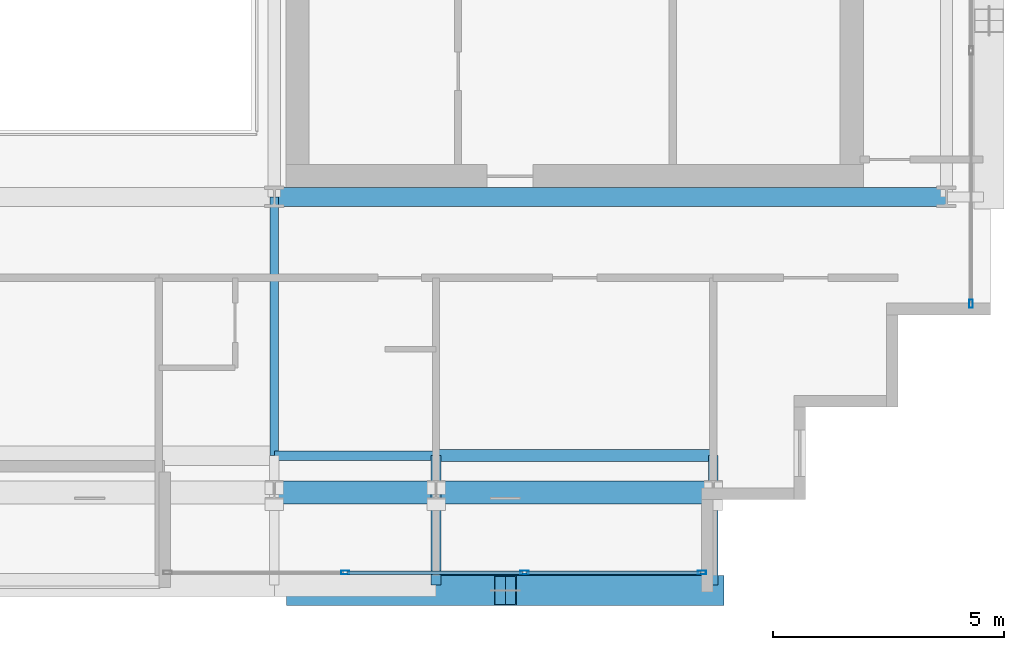
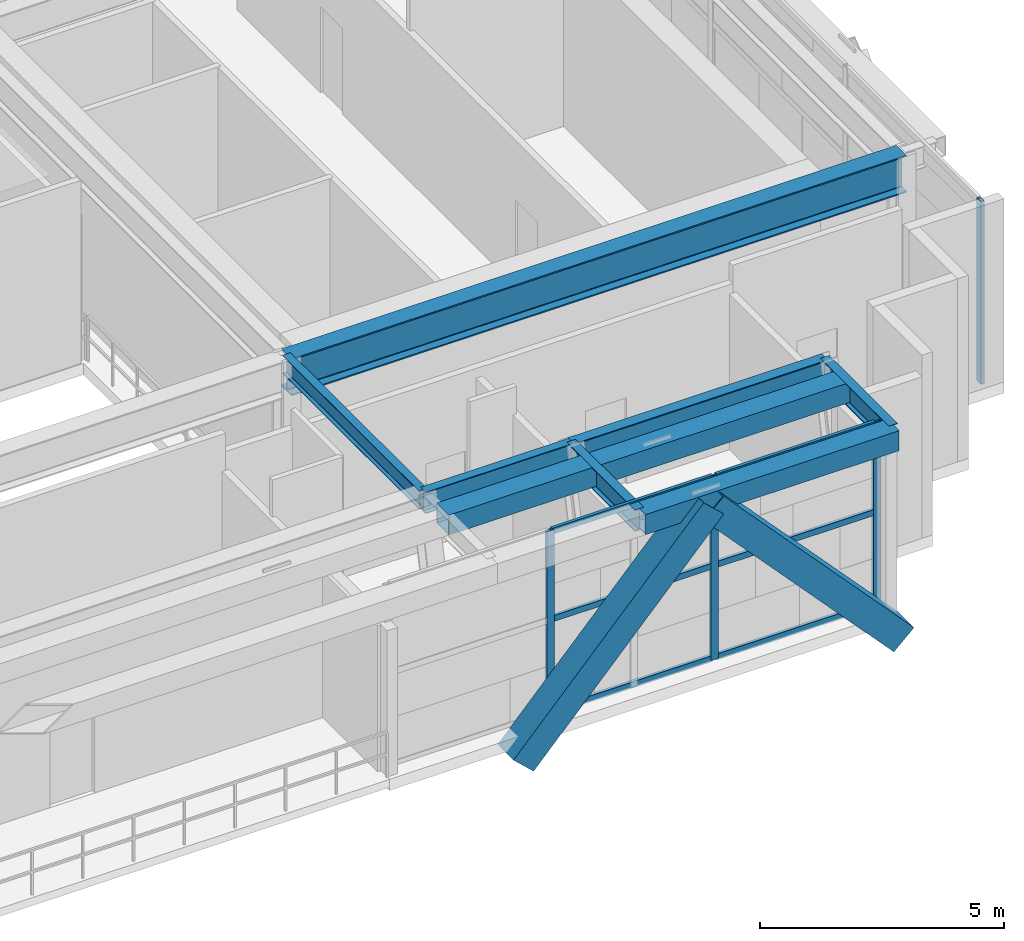
# One storey, part 9 of 31: 12 members, 9 beams, 2 elements without a shape of their own.
"""IFC4 building model written with IfcOpenShell, lengths in metres."""

import ifcopenshell
import ifcopenshell.guid

model = None  # the IFC model being written
_history = None  # IfcOwnerHistory: only IFC2X3 demands one
_inside = {}  # id of a spatial element -> (the spatial element, [elements in it])
_under = {}  # id of a project, library or spatial element -> (it, [spatial elements below it])
_declared = {}  # id of a project -> (the project, [libraries it declares])
_typed = {}  # id of a type object -> (the type object, [elements of that type])
_made_of = {}  # id of a material, layer set ... -> (it, [elements and type objects made of it])


def new_model(schema):
    """Start an empty IFC model of exactly this schema.

    Asked for "IFC4X3", IfcOpenShell would pick the latest addendum, in which some entities
    have other attributes; the version numbers below select the first issue.
    IFC2X3 requires an IfcOwnerHistory on every rooted entity: one is made here for all.
    """
    global model, _history
    if schema == "IFC4X3":
        model = ifcopenshell.file(schema_version=(4, 3, 0, 0))
    else:
        model = ifcopenshell.file(schema=schema)
    _inside.clear()
    _under.clear()
    _declared.clear()
    _typed.clear()
    _made_of.clear()
    _history = None
    if model.schema == "IFC2X3":
        org = make("IfcOrganization", Name="unknown")
        user = make(
            "IfcPersonAndOrganization",
            ThePerson=make("IfcPerson", FamilyName="unknown"),
            TheOrganization=org,
        )
        app = make(
            "IfcApplication",
            ApplicationDeveloper=org,
            Version="unknown",
            ApplicationFullName="unknown",
            ApplicationIdentifier="unknown",
        )
        _history = make(
            "IfcOwnerHistory",
            OwningUser=user,
            OwningApplication=app,
            ChangeAction="ADDED",
            CreationDate=0,
        )
    return model


def make(cls, **values):
    """One entity of the class cls with the attributes given. An attribute that is None is left unset."""
    return model.create_entity(
        cls, **{name: value for name, value in values.items() if value is not None}
    )


def rooted(cls, **values):
    """An entity with a GlobalId (a new one), such as an element, a storey or a relation."""
    return make(cls, GlobalId=ifcopenshell.guid.new(), OwnerHistory=_history, **values)


def si_unit(unit_type, name, prefix=None):
    """IfcSIUnit, for example si_unit("LENGTHUNIT", "METRE", prefix="MILLI")."""
    return make("IfcSIUnit", UnitType=unit_type, Prefix=prefix, Name=name)


def assignment(units):
    """IfcUnitAssignment: the units of a project."""
    return None if units is None else make("IfcUnitAssignment", Units=units)


def point(xyz):
    """IfcCartesianPoint."""
    return None if xyz is None else make("IfcCartesianPoint", Coordinates=xyz)


def direction(xyz):
    """IfcDirection."""
    return None if xyz is None else make("IfcDirection", DirectionRatios=xyz)


def frame(location, z_axis=None, x_axis=None):
    """IfcAxis2Placement3D, a coordinate frame: its origin and axes. An axis left out is left unset."""
    return make(
        "IfcAxis2Placement3D",
        Location=point(location),
        Axis=direction(z_axis),
        RefDirection=direction(x_axis),
    )


def frame_2d(location, x_axis=None):
    """IfcAxis2Placement2D, a coordinate frame in the plane: its origin and x axis."""
    return make(
        "IfcAxis2Placement2D", Location=point(location), RefDirection=direction(x_axis)
    )


def origin():
    """The frame at (0, 0, 0) with its axes left unset."""
    return frame((0.0, 0.0, 0.0))


def origin_2d():
    """The frame at (0, 0) in the plane with its x axis left unset."""
    return frame_2d((0.0, 0.0))


def place(relative_to, where):
    """IfcLocalPlacement: puts the frame where relative to a parent placement (None: the world)."""
    return make(
        "IfcLocalPlacement", PlacementRelTo=relative_to, RelativePlacement=where
    )


def context(
    kind, dimensions, precision=None, world=None, true_north=None, identifier=None
):
    """IfcGeometricRepresentationContext, for example the 3D "Model" context."""
    return make(
        "IfcGeometricRepresentationContext",
        ContextIdentifier=identifier,
        ContextType=kind,
        CoordinateSpaceDimension=dimensions,
        Precision=precision,
        WorldCoordinateSystem=world,
        TrueNorth=true_north,
    )


def subcontext(parent, identifier, kind, view, scale=None):
    """IfcGeometricRepresentationSubContext, for example "Body" below "Model"."""
    return make(
        "IfcGeometricRepresentationSubContext",
        ContextIdentifier=identifier,
        ContextType=kind,
        ParentContext=parent,
        TargetScale=scale,
        TargetView=view,
    )


def project(units=None, contexts=None):
    """IfcProject with its units and contexts."""
    return rooted(
        "IfcProject",
        Name="project",
        RepresentationContexts=contexts,
        UnitsInContext=assignment(units),
    )


def spatial(cls, under=None, at=None, **own):
    """A site, building, storey or space (cls), placed at a placement, below another one or the project."""
    s = rooted(cls, ObjectPlacement=at, **own)
    if under is not None:
        _under.setdefault(under.id(), (under, []))[1].append(s)
    return s


def profile(cls, at=None, kind="AREA", **sizes):
    """A parametric profile (cls). Its sizes go by their IFC names, for example OverallWidth=200.0."""
    return make(cls, ProfileType=kind, Position=at, **sizes)


def hollow_rectangle(**sizes):
    """IfcRectangleHollowProfileDef."""
    return profile("IfcRectangleHollowProfileDef", **sizes)


def i_section(**sizes):
    """IfcIShapeProfileDef."""
    return profile("IfcIShapeProfileDef", **sizes)


def extrude(swept, where, along, depth):
    """IfcExtrudedAreaSolid: the profile swept, set in the frame where, extruded along a direction by depth."""
    return make(
        "IfcExtrudedAreaSolid",
        SweptArea=swept,
        Position=where,
        ExtrudedDirection=direction(along),
        Depth=depth,
    )


def shape(context_of_items, identifier, shape_type, items):
    """IfcShapeRepresentation: the items that make up one representation, for example the "Body"."""
    return make(
        "IfcShapeRepresentation",
        ContextOfItems=context_of_items,
        RepresentationIdentifier=identifier,
        RepresentationType=shape_type,
        Items=items,
    )


def source(mapping_origin, context_of_items, identifier, shape_type, items):
    """IfcRepresentationMap: a shape defined once, which mapped items show again and again."""
    return make(
        "IfcRepresentationMap",
        MappingOrigin=mapping_origin,
        MappedRepresentation=shape(context_of_items, identifier, shape_type, items),
    )


def transform(
    local_origin,
    x_axis=None,
    y_axis=None,
    z_axis=None,
    scale=None,
    scale2=None,
    scale3=None,
    uniform=True,
):
    """IfcCartesianTransformationOperator3D, or its non-uniform kind. x_axis, y_axis, z_axis: its Axis1, 2, 3."""
    if uniform:
        return make(
            "IfcCartesianTransformationOperator3D",
            Axis1=direction(x_axis),
            Axis2=direction(y_axis),
            LocalOrigin=point(local_origin),
            Scale=scale,
            Axis3=direction(z_axis),
        )
    return make(
        "IfcCartesianTransformationOperator3DnonUniform",
        Axis1=direction(x_axis),
        Axis2=direction(y_axis),
        LocalOrigin=point(local_origin),
        Scale=scale,
        Axis3=direction(z_axis),
        Scale2=scale2,
        Scale3=scale3,
    )


def mapped(mapping_source, mapping_target):
    """IfcMappedItem: shows the shape of a source again, moved by a transform."""
    return make(
        "IfcMappedItem", MappingSource=mapping_source, MappingTarget=mapping_target
    )


def material(Name=None, Category=None):
    """IfcMaterial."""
    return make("IfcMaterial", Name=Name, Category=Category)


def layer(
    of_material, thickness, ventilated=None, Name=None, Category=None, Priority=None
):
    """IfcMaterialLayer: one layer of a wall or slab, of a material (None: an air gap)."""
    return make(
        "IfcMaterialLayer",
        Material=of_material,
        LayerThickness=thickness,
        IsVentilated=ventilated,
        Name=Name,
        Category=Category,
        Priority=Priority,
    )


def layer_set(layers, Name=None):
    """IfcMaterialLayerSet."""
    return make("IfcMaterialLayerSet", MaterialLayers=layers, LayerSetName=Name)


def material_profile(
    of_material, cross_section, Name=None, Category=None, Priority=None
):
    """IfcMaterialProfile: a cross section and its material."""
    return make(
        "IfcMaterialProfile",
        Name=Name,
        Material=of_material,
        Profile=cross_section,
        Priority=Priority,
        Category=Category,
    )


def profile_set(profiles, Name=None, composite=None):
    """IfcMaterialProfileSet."""
    return make(
        "IfcMaterialProfileSet",
        Name=Name,
        MaterialProfiles=profiles,
        CompositeProfile=composite,
    )


def made_of(thing, what):
    """Note that an element or type object is made of a material, layer set ...; save() writes the relation."""
    if what is not None:
        _made_of.setdefault(what.id(), (what, []))[1].append(thing)
    return thing


def type_object(cls, material=None, **own):
    """A type object (cls), such as IfcWallType, which elements share."""
    return made_of(rooted(cls, **own), material)


def element(
    cls,
    number,
    at=None,
    inside=None,
    cuts=None,
    type_object=None,
    material=None,
    context=None,
    identifier="Body",
    shape_type=None,
    held_by="IfcProductDefinitionShape",
    body=None,
    shapes=None,
    **own,
):
    """One element of the class cls, such as IfcWall. Its Tag is "e" and its number.

    at: its placement. inside: the storey or other place that contains it. cuts: it is an
    opening in that element (IfcRelVoidsElement). A single representation is given by context,
    identifier, shape_type and body (its items); several are given by shapes. held_by: the class
    of the entity that holds the representations. save() writes the other relations.
    """
    e = rooted(cls, Tag="e%d" % number, ObjectPlacement=at, **own)
    if body is not None:
        shapes = [shape(context, identifier, shape_type, body)]
    if shapes is not None:
        e.Representation = make(held_by, Representations=shapes)
    if inside is not None:
        _inside.setdefault(inside.id(), (inside, []))[1].append(e)
    if cuts is not None:
        rooted(
            "IfcRelVoidsElement", RelatingBuildingElement=cuts, RelatedOpeningElement=e
        )
    if type_object is not None:
        _typed.setdefault(type_object.id(), (type_object, []))[1].append(e)
    return made_of(e, material)


def aggregate(whole, parts):
    """IfcRelAggregates: a whole, such as a stair, and the parts it consists of."""
    return rooted("IfcRelAggregates", RelatingObject=whole, RelatedObjects=parts)


def save(model, path):
    """Write the relations noted so far, then the file.

    IfcRelAggregates (storeys below a building ...), IfcRelContainedInSpatialStructure (elements
    in a storey), IfcRelDefinesByType, IfcRelAssociatesMaterial and IfcRelDeclares: one each for
    every whole, place, type object, material and project.
    """
    for whole, parts in _under.values():
        aggregate(whole, parts)
    for where, things in _inside.values():
        rooted(
            "IfcRelContainedInSpatialStructure",
            RelatedElements=things,
            RelatingStructure=where,
        )
    for kind, things in _typed.values():
        rooted("IfcRelDefinesByType", RelatedObjects=things, RelatingType=kind)
    for what, things in _made_of.values():
        rooted("IfcRelAssociatesMaterial", RelatedObjects=things, RelatingMaterial=what)
    for by, libraries in _declared.values():
        rooted("IfcRelDeclares", RelatingContext=by, RelatedDefinitions=libraries)
    model.write(path)


model = new_model("IFC4")

# Units and contexts
model_context = context("Model", 3, precision=1e-05, world=origin(), true_north=direction((0.0, 1.0)))
body_context = subcontext(model_context, "Body", "Model", "MODEL_VIEW")
ifc_project = project(units=[si_unit("LENGTHUNIT", "METRE"), si_unit("AREAUNIT", "SQUARE_METRE"), si_unit("VOLUMEUNIT", "CUBIC_METRE"), si_unit("PLANEANGLEUNIT", "RADIAN"), si_unit("MASSUNIT", "GRAM", prefix="KILO")], contexts=[model_context])

# Site, building, storey
site_placement = place(None, origin())
site = spatial("IfcSite", under=ifc_project, at=site_placement, CompositionType="ELEMENT")
building_placement = place(site_placement, origin())
building = spatial("IfcBuilding", under=site, at=building_placement, Name="Ocotamira Hotel", CompositionType="ELEMENT")
storey_placement = place(building_placement, frame((0.0, 0.0, 228.0)))
storey = spatial("IfcBuildingStorey", under=building, at=storey_placement, Name="L57", CompositionType="ELEMENT", Elevation=228.0)

# Beams
ifc_material_1 = material(Name="Steel ASTM A992 Grade 50", Category="steel")
ifc_material_profile_1 = material_profile(ifc_material_1, i_section(OverallWidth=0.41796875, OverallDepth=0.927001953125, WebThickness=0.019287109375, FlangeThickness=0.031982421875, FilletRadius=0.02392578125, at=origin_2d()), Name="W36X231")
ifc_profile_set_1 = profile_set([ifc_material_profile_1], Name="Steel ASTM A992 Grade 50")
beam_type_1 = type_object("IfcBeamType", Name="BM-GIRD-W36X231", PredefinedType="BEAM", material=ifc_profile_set_1)
shared_shape_1 = source(origin(), body_context, "Body", "SweptSolid", [
    extrude(i_section(OverallWidth=0.41796875, OverallDepth=0.927001953125, WebThickness=0.019287109375, FlangeThickness=0.031982421875, FilletRadius=0.02392578125, at=origin_2d()), origin(), (0.0, 0.0, 1.0), 14.550048828125),
])
beam_1_placement = place(storey_placement, frame((40.5, 14.550048828125, 4.116455078125), z_axis=(1.0, 0.0, 0.0), x_axis=(0.0, 1.0, 0.0)))
element("IfcBeam", 1, at=beam_1_placement, inside=storey, type_object=beam_type_1, Name="L57 Girder Y14.55 X40.5-55.05", PredefinedType="BEAM", context=body_context, shape_type="MappedRepresentation", body=[
    mapped(shared_shape_1, transform((0.0, 0.0, 0.0), scale=1.0)),
])
ifc_material_profile_2 = material_profile(ifc_material_1, i_section(OverallWidth=0.256103515625, OverallDepth=0.693115234375, WebThickness=0.014404296875, FlangeThickness=0.023681640625, FilletRadius=0.01611328125, at=origin_2d()), Name="W27X114")
ifc_profile_set_2 = profile_set([ifc_material_profile_2], Name="Steel ASTM A992 Grade 50")
beam_type_2 = type_object("IfcBeamType", Name="BM-PRIM-W27X114", PredefinedType="BEAM", material=ifc_profile_set_2)
shared_shape_2 = source(origin(), body_context, "Body", "SweptSolid", [
    extrude(i_section(OverallWidth=0.256103515625, OverallDepth=0.693115234375, WebThickness=0.014404296875, FlangeThickness=0.023681640625, FilletRadius=0.01611328125, at=origin_2d()), origin(), (0.0, 0.0, 1.0), 6.0),
])
beam_2_placement = place(storey_placement, frame((44.0, 8.949951171875, 4.2333984375), z_axis=(1.0, 0.0, 0.0), x_axis=(0.0, 1.0, 0.0)))
element("IfcBeam", 2, at=beam_2_placement, inside=storey, type_object=beam_type_2, Name="L57 Girder Y8.95 X44-50", PredefinedType="BEAM", context=body_context, shape_type="MappedRepresentation", body=[
    mapped(shared_shape_2, transform((0.0, 0.0, 0.0), scale=1.0)),
])
ifc_material_profile_3 = material_profile(ifc_material_1, i_section(OverallWidth=0.2099609375, OverallDepth=0.537109375, WebThickness=0.010986328125, FlangeThickness=0.017333984375, FilletRadius=0.012939453125, at=origin_2d()), Name="W21X68")
ifc_profile_set_3 = profile_set([ifc_material_profile_3], Name="Steel ASTM A992 Grade 50")
beam_type_3 = type_object("IfcBeamType", Name="BM-SEC-W21X68", PredefinedType="JOIST", material=ifc_profile_set_3)
shared_shape_3 = source(origin(), body_context, "Body", "SweptSolid", [
    extrude(i_section(OverallWidth=0.2099609375, OverallDepth=0.537109375, WebThickness=0.010986328125, FlangeThickness=0.017333984375, FilletRadius=0.012939453125, at=origin_2d()), origin(), (0.0, 0.0, 1.0), 3.5),
])
beam_3_placement = place(storey_placement, frame((40.5, 8.949951171875, 4.3115234375), z_axis=(1.0, 0.0, 0.0), x_axis=(0.0, 1.0, 0.0)))
element("IfcBeam", 3, at=beam_3_placement, inside=storey, type_object=beam_type_3, Name="L57 Girder Y8.95 X40.5-44", PredefinedType="JOIST", context=body_context, shape_type="MappedRepresentation", body=[
    mapped(shared_shape_3, transform((0.0, 0.0, 0.0), scale=1.0)),
])
ifc_material_2 = material(Name="Steel ASTM A500 Grade C", Category="steel")
ifc_material_profile_4 = material_profile(ifc_material_2, hollow_rectangle(XDim=0.5, YDim=0.5, WallThickness=0.02001953125, at=origin_2d()), Name="HSS500X500X20")
ifc_profile_set_4 = profile_set([ifc_material_profile_4], Name="Steel ASTM A500 Grade C")
beam_type_4 = type_object("IfcBeamType", Name="BM-SPAN-HSS500", PredefinedType="USERDEFINED", material=ifc_profile_set_4)
shared_shape_4 = source(origin(), body_context, "Body", "SweptSolid", [
    extrude(hollow_rectangle(XDim=0.5, YDim=0.5, WallThickness=0.02001953125, at=origin_2d()), origin(), (0.0, 0.0, 1.0), 6.0),
])
for number, where, z_axis, x_axis, name in (
    (4, (44.0, 8.14990234375, 4.330078125), (1.0, 0.0, 0.0), (0.0, 1.0, 0.0), "L57 Inner Setback Spandrel S X44"),
    (5, (44.0, 6.14990234375, 4.330078125), (1.0, 0.0, 0.0), (0.0, 1.0, 0.0), "L57 Edge Spandrel S X44-50"),
):
    element("IfcBeam", number, at=place(storey_placement, frame(where, z_axis=z_axis, x_axis=x_axis)), inside=storey, type_object=beam_type_4, Name=name, ObjectType="SPANDREL", PredefinedType="USERDEFINED", context=body_context, shape_type="MappedRepresentation", body=[
        mapped(shared_shape_4, transform((0.0, 0.0, 0.0), scale=1.0)),
    ])
shared_shape_5 = source(origin(), body_context, "Body", "SweptSolid", [
    extrude(hollow_rectangle(XDim=0.5, YDim=0.5, WallThickness=0.02001953125, at=origin_2d()), origin(), (0.0, 0.0, 1.0), 3.5),
])
beam_4_placement = place(storey_placement, frame((40.5, 8.14990234375, 4.330078125), z_axis=(1.0, 0.0, 0.0), x_axis=(0.0, 1.0, 0.0)))
element("IfcBeam", 6, at=beam_4_placement, inside=storey, type_object=beam_type_4, Name="L57 Inner Setback Spandrel S X40.5", ObjectType="SPANDREL", PredefinedType="USERDEFINED", context=body_context, shape_type="MappedRepresentation", body=[
    mapped(shared_shape_5, transform((0.0, 0.0, 0.0), scale=1.0)),
])
shared_shape_6 = source(origin(), body_context, "Body", "SweptSolid", [
    extrude(i_section(OverallWidth=0.2099609375, OverallDepth=0.537109375, WebThickness=0.010986328125, FlangeThickness=0.017333984375, FilletRadius=0.012939453125, at=origin_2d()), origin(), (0.0, 0.0, 1.0), 2.800048828125),
])
for number, where, z_axis, x_axis, name in (
    (7, (44.0, 8.949951171875, 4.3115234375), (0.0, -1.0, 0.0), (1.0, 0.0, 0.0), "L57 South Edge Header X44"),
    (8, (50.0, 8.949951171875, 4.3115234375), (0.0, -1.0, 0.0), (1.0, 0.0, 0.0), "L57 South Edge Header X50"),
):
    element("IfcBeam", number, at=place(storey_placement, frame(where, z_axis=z_axis, x_axis=x_axis)), inside=storey, type_object=beam_type_3, Name=name, PredefinedType="JOIST", context=body_context, shape_type="MappedRepresentation", body=[
        mapped(shared_shape_6, transform((0.0, 0.0, 0.0), scale=1.0)),
    ])
ifc_material_profile_5 = material_profile(ifc_material_1, i_section(OverallWidth=0.18994140625, OverallDepth=0.45703125, WebThickness=0.009033203125, FlangeThickness=0.014404296875, FilletRadius=0.010009765625, at=origin_2d()), Name="W18X50")
ifc_profile_set_5 = profile_set([ifc_material_profile_5], Name="Steel ASTM A992 Grade 50")
beam_type_5 = type_object("IfcBeamType", Name="BM-SEC-W18X50", PredefinedType="JOIST", material=ifc_profile_set_5)
shared_shape_7 = source(origin(), body_context, "Body", "SweptSolid", [
    extrude(i_section(OverallWidth=0.18994140625, OverallDepth=0.45703125, WebThickness=0.009033203125, FlangeThickness=0.014404296875, FilletRadius=0.010009765625, at=origin_2d()), origin(), (0.0, 0.0, 1.0), 5.60009765625),
])
beam_5_placement = place(storey_placement, frame((40.5, 8.949951171875, 4.3515625), z_axis=(0.0, 1.0, 0.0), x_axis=(-1.0, 0.0, 0.0)))
element("IfcBeam", 9, at=beam_5_placement, inside=storey, type_object=beam_type_5, Name="L57 Beam X40.5 Y8.95-14.55", PredefinedType="JOIST", context=body_context, shape_type="MappedRepresentation", body=[
    mapped(shared_shape_7, transform((0.0, 0.0, 0.0), scale=1.0)),
])

# Members
ifc_material_3 = material(Name="Pale-metal coated steel ASTM A913 Grade 65", Category="steel")
ifc_material_profile_6 = material_profile(ifc_material_3, hollow_rectangle(XDim=0.64990234375, YDim=0.64990234375, WallThickness=0.02197265625, at=origin_2d()), Name="BOX650X650X22")
ifc_profile_set_6 = profile_set([ifc_material_profile_6], Name="Pale-metal coated steel ASTM A913 Grade 65")
member_type_1 = type_object("IfcMemberType", Name="MEM-EXO-BOX650", PredefinedType="BRACE", material=ifc_profile_set_6)
shared_shape_8 = source(origin(), body_context, "Body", "SweptSolid", [
    extrude(hollow_rectangle(XDim=0.64990234375, YDim=0.64990234375, WallThickness=0.02197265625, at=origin_2d()), origin(), (0.0, 0.0, 1.0), 6.62353515625),
])
for number, where, z_axis, x_axis, name in (
    (10, (41.0, 6.030029296875, -0.530029296875), (0.679399946256, 0.0, 0.733768160271), (0.0, 1.0, 0.0), "L57 Exoskeleton Diagrid S3.1"),
    (11, (50.0, 6.030029296875, -0.530029296875), (-0.679399946256, 0.0, 0.733768160271), (0.0, -1.0, 0.0), "L57 Exoskeleton Diagrid S3.2"),
):
    element("IfcMember", number, at=place(storey_placement, frame(where, z_axis=z_axis, x_axis=x_axis)), inside=storey, type_object=member_type_1, Name=name, PredefinedType="BRACE", context=body_context, shape_type="MappedRepresentation", body=[
        mapped(shared_shape_8, transform((0.0, 0.0, 0.0), scale=1.0)),
    ])

# Curtain wall, members
ifc_material_4 = material(Name="Anodised pale-metal aluminium and solar glass", Category="aluminium")
ifc_layer = layer(ifc_material_4, 0.239990234375)
ifc_layer_set = layer_set([ifc_layer], Name="Anodised pale-metal aluminium and solar glass")
curtain_wall_type = type_object("IfcCurtainWallType", Name="CW-SYS5-SKY", PredefinedType="NOTDEFINED", material=ifc_layer_set)
curtain_wall_1_placement = place(storey_placement, origin())
curtain_wall_1 = element("IfcCurtainWall", 12, at=curtain_wall_1_placement, inside=storey, type_object=curtain_wall_type, Name="L57 Curtain Wall CW-5 CW-L57-S2", PredefinedType="NOTDEFINED")
ifc_material_5 = material(Name="Anodised pale-metal aluminium 6063-T6", Category="aluminium")
ifc_material_profile_7 = material_profile(ifc_material_5, hollow_rectangle(XDim=0.074951171875, YDim=0.14990234375, WallThickness=0.006103515625, at=origin_2d()), Name="HSS150X75X6")
ifc_profile_set_7 = profile_set([ifc_material_profile_7], Name="Anodised pale-metal aluminium 6063-T6")
member_type_2 = type_object("IfcMemberType", Name="CWT-150X75", PredefinedType="USERDEFINED", material=ifc_profile_set_7)
shared_shape_9 = source(origin(), body_context, "Body", "SweptSolid", [
    extrude(hollow_rectangle(XDim=0.074951171875, YDim=0.14990234375, WallThickness=0.006103515625, at=origin_2d()), origin(), (0.0, 0.0, 1.0), 3.76318359375),
])
member_1_placement = place(storey_placement, frame((45.956787109375, 6.419921875, 0.03759765625), z_axis=(1.0, 0.0, 0.0), x_axis=(0.0, 1.0, 0.0)))
member_1 = element("IfcMember", 13, at=member_1_placement, type_object=member_type_2, Name="CW-5 transom 3.1", ObjectType="TRANSOM", PredefinedType="USERDEFINED", context=body_context, shape_type="MappedRepresentation", body=[
    mapped(shared_shape_9, transform((0.0, 0.0, 0.0), scale=1.0)),
])
member_2_placement = place(storey_placement, frame((45.956787109375, 6.419921875, 2.35009765625), z_axis=(1.0, 0.0, 0.0), x_axis=(0.0, 1.0, 0.0)))
member_2 = element("IfcMember", 14, at=member_2_placement, type_object=member_type_2, Name="CW-5 transom 3.2", ObjectType="TRANSOM", PredefinedType="USERDEFINED", context=body_context, shape_type="MappedRepresentation", body=[
    mapped(shared_shape_9, transform((0.0, 0.0, 0.0), scale=1.0)),
])
member_3_placement = place(storey_placement, frame((45.956787109375, 6.419921875, 4.54248046875), z_axis=(1.0, 0.0, 0.0), x_axis=(0.0, 1.0, 0.0)))
member_3 = element("IfcMember", 15, at=member_3_placement, type_object=member_type_2, Name="CW-5 transom 3.3", ObjectType="TRANSOM", PredefinedType="USERDEFINED", context=body_context, shape_type="MappedRepresentation", body=[
    mapped(shared_shape_9, transform((0.0, 0.0, 0.0), scale=1.0)),
])
shared_shape_10 = source(origin(), body_context, "Body", "SweptSolid", [
    extrude(hollow_rectangle(XDim=0.074951171875, YDim=0.14990234375, WallThickness=0.006103515625, at=origin_2d()), origin(), (0.0, 0.0, 1.0), 3.803466796875),
])
member_4_placement = place(storey_placement, frame((42.0732421875, 6.419921875, 0.03759765625), z_axis=(1.0, 0.0, 0.0), x_axis=(0.0, 1.0, 0.0)))
member_4 = element("IfcMember", 16, at=member_4_placement, type_object=member_type_2, Name="CW-5 transom 2.1", ObjectType="TRANSOM", PredefinedType="USERDEFINED", context=body_context, shape_type="MappedRepresentation", body=[
    mapped(shared_shape_10, transform((0.0, 0.0, 0.0), scale=1.0)),
])
member_5_placement = place(storey_placement, frame((42.0732421875, 6.419921875, 2.35009765625), z_axis=(1.0, 0.0, 0.0), x_axis=(0.0, 1.0, 0.0)))
member_5 = element("IfcMember", 17, at=member_5_placement, type_object=member_type_2, Name="CW-5 transom 2.2", ObjectType="TRANSOM", PredefinedType="USERDEFINED", context=body_context, shape_type="MappedRepresentation", body=[
    mapped(shared_shape_10, transform((0.0, 0.0, 0.0), scale=1.0)),
])
member_6_placement = place(storey_placement, frame((42.0732421875, 6.419921875, 4.54248046875), z_axis=(1.0, 0.0, 0.0), x_axis=(0.0, 1.0, 0.0)))
member_6 = element("IfcMember", 18, at=member_6_placement, type_object=member_type_2, Name="CW-5 transom 2.3", ObjectType="TRANSOM", PredefinedType="USERDEFINED", context=body_context, shape_type="MappedRepresentation", body=[
    mapped(shared_shape_10, transform((0.0, 0.0, 0.0), scale=1.0)),
])
ifc_material_profile_8 = material_profile(ifc_material_5, hollow_rectangle(XDim=0.080078125, YDim=0.179931640625, WallThickness=0.006103515625, at=origin_2d()), Name="HSS180X80X6")
ifc_profile_set_8 = profile_set([ifc_material_profile_8], Name="Anodised pale-metal aluminium 6063-T6")
member_type_3 = type_object("IfcMemberType", Name="CWM-180X75", PredefinedType="MULLION", material=ifc_profile_set_8)
shared_shape_11 = source(origin(), body_context, "Body", "SweptSolid", [
    extrude(hollow_rectangle(XDim=0.080078125, YDim=0.179931640625, WallThickness=0.006103515625, at=origin_2d()), origin(), (0.0, 0.0, 1.0), 4.580078125),
])
member_7_placement = place(storey_placement, frame((42.033447265625, 6.419921875, 0.0), z_axis=(0.0, 0.0, 1.0), x_axis=(0.0, 1.0, 0.0)))
member_7 = element("IfcMember", 19, at=member_7_placement, type_object=member_type_3, Name="CW-5 mullion 2", PredefinedType="MULLION", context=body_context, shape_type="MappedRepresentation", body=[
    mapped(shared_shape_11, transform((0.0, 0.0, 0.0), scale=1.0)),
])
member_8_placement = place(storey_placement, frame((45.916748046875, 6.419921875, 0.0), z_axis=(0.0, 0.0, 1.0), x_axis=(0.0, 1.0, 0.0)))
member_8 = element("IfcMember", 20, at=member_8_placement, type_object=member_type_3, Name="CW-5 mullion 3", PredefinedType="MULLION", context=body_context, shape_type="MappedRepresentation", body=[
    mapped(shared_shape_11, transform((0.0, 0.0, 0.0), scale=1.0)),
])
member_9_placement = place(storey_placement, frame((49.760009765625, 6.419921875, 0.0), z_axis=(0.0, 0.0, 1.0), x_axis=(0.0, 1.0, 0.0)))
member_9 = element("IfcMember", 21, at=member_9_placement, type_object=member_type_3, Name="CW-5 mullion 4", PredefinedType="MULLION", context=body_context, shape_type="MappedRepresentation", body=[
    mapped(shared_shape_11, transform((0.0, 0.0, 0.0), scale=1.0)),
])
aggregate(curtain_wall_1, [member_7, member_8, member_9, member_4, member_5, member_6, member_1, member_2, member_3])

# Curtain wall, member
curtain_wall_2_placement = place(storey_placement, origin())
curtain_wall_2 = element("IfcCurtainWall", 22, at=curtain_wall_2_placement, inside=storey, type_object=curtain_wall_type, Name="L57 Curtain Wall CW-5 CW-L57-E", PredefinedType="NOTDEFINED")
member_10_placement = place(storey_placement, frame((55.580078125, 12.239990234375, 0.0), z_axis=(0.0, 0.0, 1.0), x_axis=(-1.0, 0.0, 0.0)))
member_10 = element("IfcMember", 23, at=member_10_placement, type_object=member_type_3, Name="CW-5 mullion 1", PredefinedType="MULLION", context=body_context, shape_type="MappedRepresentation", body=[
    mapped(shared_shape_11, transform((0.0, 0.0, 0.0), scale=1.0)),
])
aggregate(curtain_wall_2, [member_10])

save(model, "model.ifc")
